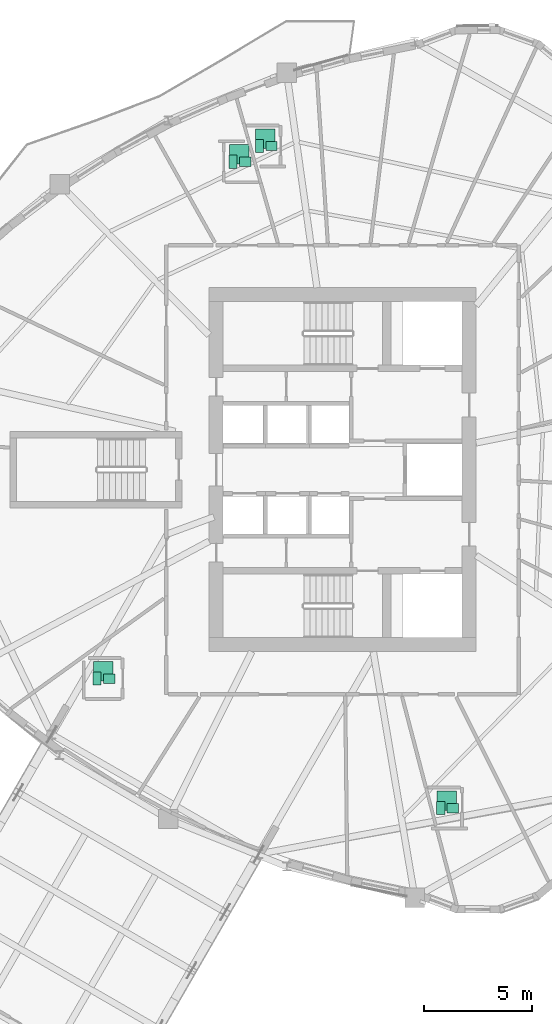
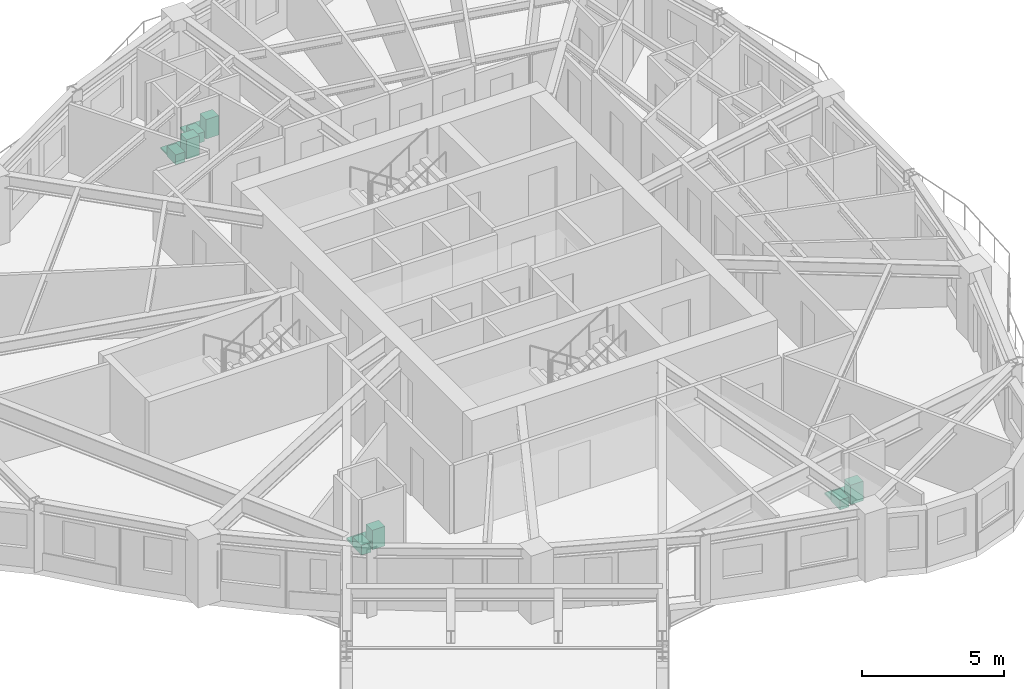
# One storey, part 17 of 17: 12 sanitary terminals.
"""IFC4 building model written with IfcOpenShell, lengths in metres."""

from ifc_helpers import new_model, si_unit, direction, frame, origin, origin_2d, place, context, subcontext, project, spatial, rectangle, extrude, source, transform, mapped, material, type_object, element, save


model = new_model("IFC4")

# Units and contexts
model_context = context("Model", 3, precision=1e-05, world=origin(), true_north=direction((0.0, 1.0)))
body_context = subcontext(model_context, "Body", "Model", "MODEL_VIEW")
ifc_project = project(units=[si_unit("LENGTHUNIT", "METRE"), si_unit("AREAUNIT", "SQUARE_METRE"), si_unit("VOLUMEUNIT", "CUBIC_METRE"), si_unit("PLANEANGLEUNIT", "RADIAN"), si_unit("MASSUNIT", "GRAM", prefix="KILO")], contexts=[model_context])

# Site, building, storey
site_placement = place(None, origin())
site = spatial("IfcSite", under=ifc_project, at=site_placement, CompositionType="ELEMENT")
building_placement = place(site_placement, origin())
building = spatial("IfcBuilding", under=site, at=building_placement, Name="Qafzar Sky-Pleat Residences", CompositionType="ELEMENT")
storey_placement = place(building_placement, frame((0.0, 0.0, 108.800048828125)))
storey = spatial("IfcBuildingStorey", under=building, at=storey_placement, Name="L32", CompositionType="ELEMENT", Elevation=108.800048828125)

# Sanitary terminals
ifc_material_1 = material(Name="Vitreous china sanitaryware")
sanitary_terminal_type_1 = type_object("IfcSanitaryTerminalType", Name="SAN-WC-PAN", PredefinedType="TOILETPAN", material=ifc_material_1)
shared_shape_1 = source(origin(), body_context, "Body", "SweptSolid", [
    extrude(rectangle(XDim=0.3798828125, YDim=0.6201171875, at=origin_2d()), origin(), (0.0, 0.0, 1.0), 0.419921875),
])
for number, where, z_axis, x_axis, name in (
    (1, (25.268310546875, 40.301025390625, 0.0), (0.0, 0.0, 1.0), (1.0, 0.0, 0.0), "L32 En-suite Bathroom 5 WC Pan"),
    (2, (26.4853515625, 41.031005859375, 0.0), (0.0, 0.0, 1.0), (1.0, 0.0, 0.0), "L32 En-suite Bathroom 6 WC Pan"),
    (3, (18.952880859375, 16.301025390625, 0.0), (0.0, 0.0, 1.0), (1.0, 0.0, 0.0), "L32 En-suite Bathroom 7 WC Pan"),
    (4, (34.904296875, 10.2900390625, 0.0), (0.0, 0.0, 1.0), (1.0, 0.0, 0.0), "L32 En-suite Bathroom 8 WC Pan"),
):
    element("IfcSanitaryTerminal", number, at=place(storey_placement, frame(where, z_axis=z_axis, x_axis=x_axis)), inside=storey, type_object=sanitary_terminal_type_1, Name=name, PredefinedType="TOILETPAN", context=body_context, shape_type="MappedRepresentation", body=[
        mapped(shared_shape_1, transform((0.0, 0.0, 0.0), x_axis=(1.0, 0.0, 0.0), y_axis=(0.0, 1.0, 0.0), z_axis=(0.0, 0.0, 1.0), scale=1.0)),
    ])
sanitary_terminal_type_2 = type_object("IfcSanitaryTerminalType", Name="SAN-BASIN", PredefinedType="WASHHANDBASIN", material=ifc_material_1)
shared_shape_2 = source(origin(), body_context, "Body", "SweptSolid", [
    extrude(rectangle(XDim=0.52001953125, YDim=0.43994140625, at=origin_2d()), origin(), (0.0, 0.0, 1.0), 0.840087890625),
])
for number, where, z_axis, x_axis, name in (
    (5, (25.828369140625, 40.301025390625, 0.0), (0.0, 0.0, 1.0), (1.0, 0.0, 0.0), "L32 En-suite Bathroom 5 Pedestal Washbasin"),
    (6, (27.04541015625, 41.031005859375, 0.0), (0.0, 0.0, 1.0), (1.0, 0.0, 0.0), "L32 En-suite Bathroom 6 Pedestal Washbasin"),
    (7, (19.512939453125, 16.301025390625, 0.0), (0.0, 0.0, 1.0), (1.0, 0.0, 0.0), "L32 En-suite Bathroom 7 Pedestal Washbasin"),
    (8, (35.464111328125, 10.2900390625, 0.0), (0.0, 0.0, 1.0), (1.0, 0.0, 0.0), "L32 En-suite Bathroom 8 Pedestal Washbasin"),
):
    element("IfcSanitaryTerminal", number, at=place(storey_placement, frame(where, z_axis=z_axis, x_axis=x_axis)), inside=storey, type_object=sanitary_terminal_type_2, Name=name, PredefinedType="WASHHANDBASIN", context=body_context, shape_type="MappedRepresentation", body=[
        mapped(shared_shape_2, transform((0.0, 0.0, 0.0), x_axis=(1.0, 0.0, 0.0), y_axis=(0.0, 1.0, 0.0), z_axis=(0.0, 0.0, 1.0), scale=1.0)),
    ])
ifc_material_2 = material(Name="Vitreous china and acrylic tray")
sanitary_terminal_type_3 = type_object("IfcSanitaryTerminalType", Name="SAN-SHOWER", PredefinedType="SHOWER", material=ifc_material_2)
shared_shape_3 = source(origin(), body_context, "Body", "SweptSolid", [
    extrude(rectangle(XDim=0.89990234375, YDim=0.89990234375, at=origin_2d()), origin(), (0.0, 0.0, 1.0), 0.080078125),
])
for number, where, z_axis, x_axis, name in (
    (9, (25.54833984375, 40.64111328125, 0.0), (0.0, 0.0, 1.0), (1.0, 0.0, 0.0), "L32 En-suite Bathroom 5 Walk-In Shower"),
    (10, (26.765380859375, 41.37109375, 0.0), (0.0, 0.0, 1.0), (1.0, 0.0, 0.0), "L32 En-suite Bathroom 6 Walk-In Shower"),
    (11, (19.23291015625, 16.64111328125, 0.0), (0.0, 0.0, 1.0), (1.0, 0.0, 0.0), "L32 En-suite Bathroom 7 Walk-In Shower"),
    (12, (35.18408203125, 10.6298828125, 0.0), (0.0, 0.0, 1.0), (1.0, 0.0, 0.0), "L32 En-suite Bathroom 8 Walk-In Shower"),
):
    element("IfcSanitaryTerminal", number, at=place(storey_placement, frame(where, z_axis=z_axis, x_axis=x_axis)), inside=storey, type_object=sanitary_terminal_type_3, Name=name, PredefinedType="SHOWER", context=body_context, shape_type="MappedRepresentation", body=[
        mapped(shared_shape_3, transform((0.0, 0.0, 0.0), x_axis=(1.0, 0.0, 0.0), y_axis=(0.0, 1.0, 0.0), z_axis=(0.0, 0.0, 1.0), scale=1.0)),
    ])

save(model, "model.ifc")
